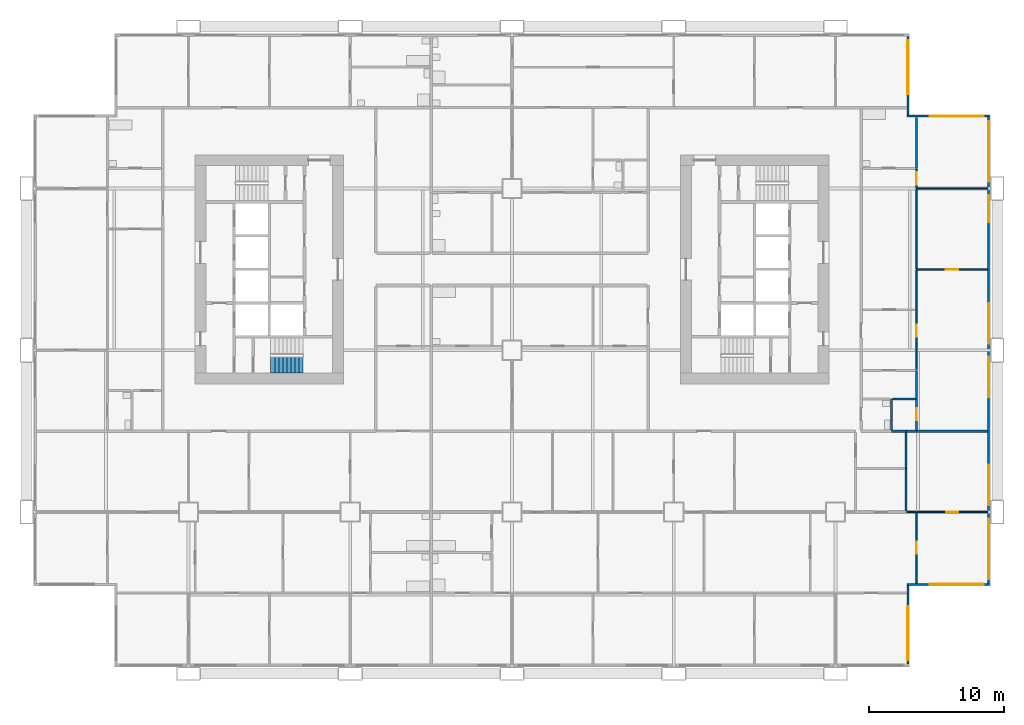
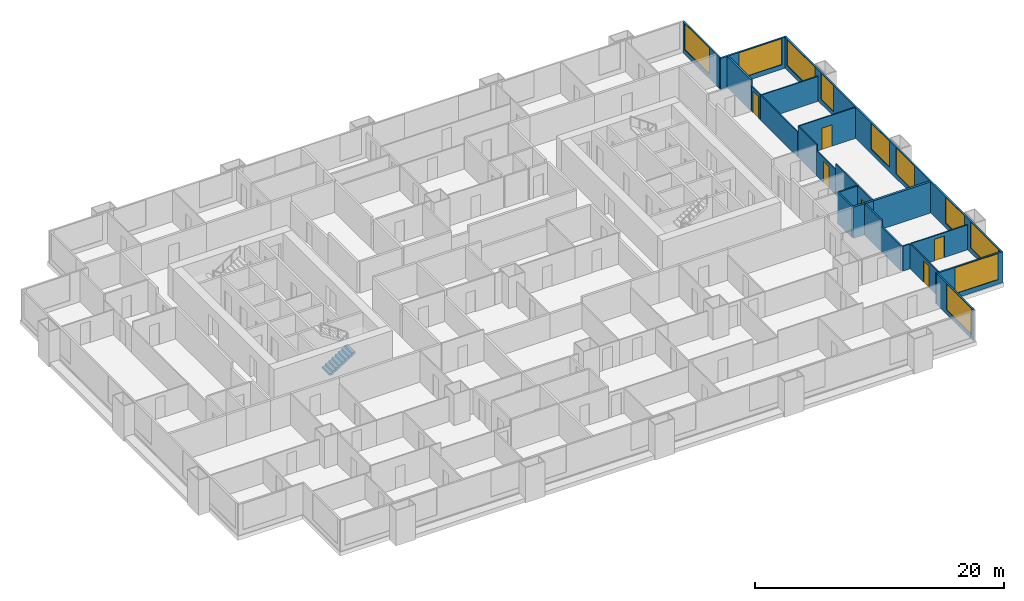
# One storey, part 10 of 13: 25 walls, 10 windows, 6 doors, 1 stair flight, 16 openings, 1 element without a shape of its own.
"""IFC4 building model written with IfcOpenShell, lengths in metres."""

import ifcopenshell
import ifcopenshell.guid

model = None  # the IFC model being written
_history = None  # IfcOwnerHistory: only IFC2X3 demands one
_inside = {}  # id of a spatial element -> (the spatial element, [elements in it])
_under = {}  # id of a project, library or spatial element -> (it, [spatial elements below it])
_declared = {}  # id of a project -> (the project, [libraries it declares])
_typed = {}  # id of a type object -> (the type object, [elements of that type])
_made_of = {}  # id of a material, layer set ... -> (it, [elements and type objects made of it])


def new_model(schema):
    """Start an empty IFC model of exactly this schema.

    Asked for "IFC4X3", IfcOpenShell would pick the latest addendum, in which some entities
    have other attributes; the version numbers below select the first issue.
    IFC2X3 requires an IfcOwnerHistory on every rooted entity: one is made here for all.
    """
    global model, _history
    if schema == "IFC4X3":
        model = ifcopenshell.file(schema_version=(4, 3, 0, 0))
    else:
        model = ifcopenshell.file(schema=schema)
    _inside.clear()
    _under.clear()
    _declared.clear()
    _typed.clear()
    _made_of.clear()
    _history = None
    if model.schema == "IFC2X3":
        org = make("IfcOrganization", Name="unknown")
        user = make(
            "IfcPersonAndOrganization",
            ThePerson=make("IfcPerson", FamilyName="unknown"),
            TheOrganization=org,
        )
        app = make(
            "IfcApplication",
            ApplicationDeveloper=org,
            Version="unknown",
            ApplicationFullName="unknown",
            ApplicationIdentifier="unknown",
        )
        _history = make(
            "IfcOwnerHistory",
            OwningUser=user,
            OwningApplication=app,
            ChangeAction="ADDED",
            CreationDate=0,
        )
    return model


def make(cls, **values):
    """One entity of the class cls with the attributes given. An attribute that is None is left unset."""
    return model.create_entity(
        cls, **{name: value for name, value in values.items() if value is not None}
    )


def rooted(cls, **values):
    """An entity with a GlobalId (a new one), such as an element, a storey or a relation."""
    return make(cls, GlobalId=ifcopenshell.guid.new(), OwnerHistory=_history, **values)


def si_unit(unit_type, name, prefix=None):
    """IfcSIUnit, for example si_unit("LENGTHUNIT", "METRE", prefix="MILLI")."""
    return make("IfcSIUnit", UnitType=unit_type, Prefix=prefix, Name=name)


def assignment(units):
    """IfcUnitAssignment: the units of a project."""
    return None if units is None else make("IfcUnitAssignment", Units=units)


def point(xyz):
    """IfcCartesianPoint."""
    return None if xyz is None else make("IfcCartesianPoint", Coordinates=xyz)


def direction(xyz):
    """IfcDirection."""
    return None if xyz is None else make("IfcDirection", DirectionRatios=xyz)


def frame(location, z_axis=None, x_axis=None):
    """IfcAxis2Placement3D, a coordinate frame: its origin and axes. An axis left out is left unset."""
    return make(
        "IfcAxis2Placement3D",
        Location=point(location),
        Axis=direction(z_axis),
        RefDirection=direction(x_axis),
    )


def frame_2d(location, x_axis=None):
    """IfcAxis2Placement2D, a coordinate frame in the plane: its origin and x axis."""
    return make(
        "IfcAxis2Placement2D", Location=point(location), RefDirection=direction(x_axis)
    )


def origin():
    """The frame at (0, 0, 0) with its axes left unset."""
    return frame((0.0, 0.0, 0.0))


def place(relative_to, where):
    """IfcLocalPlacement: puts the frame where relative to a parent placement (None: the world)."""
    return make(
        "IfcLocalPlacement", PlacementRelTo=relative_to, RelativePlacement=where
    )


def context(
    kind, dimensions, precision=None, world=None, true_north=None, identifier=None
):
    """IfcGeometricRepresentationContext, for example the 3D "Model" context."""
    return make(
        "IfcGeometricRepresentationContext",
        ContextIdentifier=identifier,
        ContextType=kind,
        CoordinateSpaceDimension=dimensions,
        Precision=precision,
        WorldCoordinateSystem=world,
        TrueNorth=true_north,
    )


def subcontext(parent, identifier, kind, view, scale=None):
    """IfcGeometricRepresentationSubContext, for example "Body" below "Model"."""
    return make(
        "IfcGeometricRepresentationSubContext",
        ContextIdentifier=identifier,
        ContextType=kind,
        ParentContext=parent,
        TargetScale=scale,
        TargetView=view,
    )


def project(units=None, contexts=None):
    """IfcProject with its units and contexts."""
    return rooted(
        "IfcProject",
        Name="project",
        RepresentationContexts=contexts,
        UnitsInContext=assignment(units),
    )


def spatial(cls, under=None, at=None, **own):
    """A site, building, storey or space (cls), placed at a placement, below another one or the project."""
    s = rooted(cls, ObjectPlacement=at, **own)
    if under is not None:
        _under.setdefault(under.id(), (under, []))[1].append(s)
    return s


def polyline(points):
    """IfcPolyline through the points."""
    return make("IfcPolyline", Points=[point(p) for p in points])


def profile(cls, at=None, kind="AREA", **sizes):
    """A parametric profile (cls). Its sizes go by their IFC names, for example OverallWidth=200.0."""
    return make(cls, ProfileType=kind, Position=at, **sizes)


def rectangle(**sizes):
    """IfcRectangleProfileDef."""
    return profile("IfcRectangleProfileDef", **sizes)


def outline(outer, holes=None, kind="AREA"):
    """IfcArbitraryClosedProfileDef: a profile drawn as a closed curve; with holes, ...WithVoids."""
    if holes is None:
        return make("IfcArbitraryClosedProfileDef", ProfileType=kind, OuterCurve=outer)
    return make(
        "IfcArbitraryProfileDefWithVoids",
        ProfileType=kind,
        OuterCurve=outer,
        InnerCurves=holes,
    )


def extrude(swept, where, along, depth):
    """IfcExtrudedAreaSolid: the profile swept, set in the frame where, extruded along a direction by depth."""
    return make(
        "IfcExtrudedAreaSolid",
        SweptArea=swept,
        Position=where,
        ExtrudedDirection=direction(along),
        Depth=depth,
    )


def shape(context_of_items, identifier, shape_type, items):
    """IfcShapeRepresentation: the items that make up one representation, for example the "Body"."""
    return make(
        "IfcShapeRepresentation",
        ContextOfItems=context_of_items,
        RepresentationIdentifier=identifier,
        RepresentationType=shape_type,
        Items=items,
    )


def material(Name=None, Category=None):
    """IfcMaterial."""
    return make("IfcMaterial", Name=Name, Category=Category)


def layer(
    of_material, thickness, ventilated=None, Name=None, Category=None, Priority=None
):
    """IfcMaterialLayer: one layer of a wall or slab, of a material (None: an air gap)."""
    return make(
        "IfcMaterialLayer",
        Material=of_material,
        LayerThickness=thickness,
        IsVentilated=ventilated,
        Name=Name,
        Category=Category,
        Priority=Priority,
    )


def layer_set(layers, Name=None):
    """IfcMaterialLayerSet."""
    return make("IfcMaterialLayerSet", MaterialLayers=layers, LayerSetName=Name)


def made_of(thing, what):
    """Note that an element or type object is made of a material, layer set ...; save() writes the relation."""
    if what is not None:
        _made_of.setdefault(what.id(), (what, []))[1].append(thing)
    return thing


def type_object(cls, material=None, **own):
    """A type object (cls), such as IfcWallType, which elements share."""
    return made_of(rooted(cls, **own), material)


def element(
    cls,
    number,
    at=None,
    inside=None,
    cuts=None,
    type_object=None,
    material=None,
    context=None,
    identifier="Body",
    shape_type=None,
    held_by="IfcProductDefinitionShape",
    body=None,
    shapes=None,
    **own,
):
    """One element of the class cls, such as IfcWall. Its Tag is "e" and its number.

    at: its placement. inside: the storey or other place that contains it. cuts: it is an
    opening in that element (IfcRelVoidsElement). A single representation is given by context,
    identifier, shape_type and body (its items); several are given by shapes. held_by: the class
    of the entity that holds the representations. save() writes the other relations.
    """
    e = rooted(cls, Tag="e%d" % number, ObjectPlacement=at, **own)
    if body is not None:
        shapes = [shape(context, identifier, shape_type, body)]
    if shapes is not None:
        e.Representation = make(held_by, Representations=shapes)
    if inside is not None:
        _inside.setdefault(inside.id(), (inside, []))[1].append(e)
    if cuts is not None:
        rooted(
            "IfcRelVoidsElement", RelatingBuildingElement=cuts, RelatedOpeningElement=e
        )
    if type_object is not None:
        _typed.setdefault(type_object.id(), (type_object, []))[1].append(e)
    return made_of(e, material)


def fill(opening, filler):
    """IfcRelFillsElement: the door or window that sits in an opening."""
    return rooted(
        "IfcRelFillsElement",
        RelatingOpeningElement=opening,
        RelatedBuildingElement=filler,
    )


def aggregate(whole, parts):
    """IfcRelAggregates: a whole, such as a stair, and the parts it consists of."""
    return rooted("IfcRelAggregates", RelatingObject=whole, RelatedObjects=parts)


def save(model, path):
    """Write the relations noted so far, then the file.

    IfcRelAggregates (storeys below a building ...), IfcRelContainedInSpatialStructure (elements
    in a storey), IfcRelDefinesByType, IfcRelAssociatesMaterial and IfcRelDeclares: one each for
    every whole, place, type object, material and project.
    """
    for whole, parts in _under.values():
        aggregate(whole, parts)
    for where, things in _inside.values():
        rooted(
            "IfcRelContainedInSpatialStructure",
            RelatedElements=things,
            RelatingStructure=where,
        )
    for kind, things in _typed.values():
        rooted("IfcRelDefinesByType", RelatedObjects=things, RelatingType=kind)
    for what, things in _made_of.values():
        rooted("IfcRelAssociatesMaterial", RelatedObjects=things, RelatingMaterial=what)
    for by, libraries in _declared.values():
        rooted("IfcRelDeclares", RelatingContext=by, RelatedDefinitions=libraries)
    model.write(path)


model = new_model("IFC4")

# Units and contexts
model_context = context("Model", 3, precision=1e-05, world=origin(), true_north=direction((0.0, 1.0)))
body_context = subcontext(model_context, "Body", "Model", "MODEL_VIEW")
ifc_project = project(units=[si_unit("LENGTHUNIT", "METRE"), si_unit("AREAUNIT", "SQUARE_METRE"), si_unit("VOLUMEUNIT", "CUBIC_METRE"), si_unit("PLANEANGLEUNIT", "RADIAN"), si_unit("MASSUNIT", "GRAM", prefix="KILO")], contexts=[model_context])

# Site, building, storey
site_placement = place(None, origin())
site = spatial("IfcSite", under=ifc_project, at=site_placement, CompositionType="ELEMENT")
building_placement = place(site_placement, origin())
building = spatial("IfcBuilding", under=site, at=building_placement, Name="Kitamizu Gate Tower and Museum", CompositionType="ELEMENT")
storey_placement = place(building_placement, frame((0.0, 0.0, 40.35009765625)))
storey = spatial("IfcBuildingStorey", under=building, at=storey_placement, Name="L08", CompositionType="ELEMENT", Elevation=40.35009765625)

# Wall, opening, door
ifc_material_1 = material(Name="Gypsum board on galvanised stud")
ifc_layer_1 = layer(ifc_material_1, 0.10009765625)
ifc_layer_set_1 = layer_set([ifc_layer_1], Name="Gypsum board on galvanised stud")
wall_type_1 = type_object("IfcWallType", Name="Partition 100 NOT RATED", PredefinedType="PARTITIONING", material=ifc_layer_set_1)
wall_1_placement = place(storey_placement, frame((66.0, 6.719970703125, 0.0), z_axis=(0.0, 0.0, 1.0), x_axis=(0.0, 1.0, 0.0)))
wall_1 = element("IfcWall", 1, at=wall_1_placement, inside=storey, type_object=wall_type_1, Name="Partition L08-075", PredefinedType="PARTITIONING", context=body_context, shape_type="SweptSolid", body=[
    extrude(rectangle(XDim=5.280029296875, YDim=0.10009765625, at=frame_2d((2.64013671875, 0.0))), origin(), (0.0, 0.0, 1.0), 2.449951171875),
])
opening_1_placement = place(wall_1_placement, frame((2.18994140625, 0.0, 0.0)))
opening_1 = element("IfcOpeningElement", 2, at=opening_1_placement, cuts=wall_1, Name="Opening L08-025", PredefinedType="OPENING", context=body_context, shape_type="SweptSolid", body=[
    extrude(rectangle(XDim=0.89990234375, YDim=2.10009765625, at=frame_2d((0.449951171875, 1.050048828125))), frame((0.0, 0.06005859375, 0.0), z_axis=(0.0, -1.0, 0.0), x_axis=(1.0, 0.0, 0.0)), (0.0, 0.0, 1.0), 0.1201171875),
])
ifc_material_2 = material(Name="Timber door set", Category="wood")
door_type_1 = type_object("IfcDoorType", Name="Room door 900", OperationType="NOTDEFINED", PredefinedType="DOOR", material=ifc_material_2)
door_1_placement = place(opening_1_placement, origin())
door_1 = element("IfcDoor", 3, at=door_1_placement, inside=storey, type_object=door_type_1, Name="Door L08-025", OperationType="SINGLE_SWING_RIGHT", OverallHeight=2.10009765625, OverallWidth=0.89990234375, PredefinedType="DOOR", context=body_context, shape_type="SweptSolid", body=[
    extrude(rectangle(XDim=0.89990234375, YDim=2.10009765625, at=frame_2d((0.449951171875, 1.050048828125))), frame((0.0, 0.02490234375, 0.0), z_axis=(0.0, -1.0, 0.0), x_axis=(1.0, 0.0, 0.0)), (0.0, 0.0, 1.0), 0.050048828125),
])
fill(opening_1, door_1)

# Wall
wall_2_placement = place(storey_placement, frame((65.949951171875, 12.0, 0.0), z_axis=(0.0, 0.0, 1.0), x_axis=(-1.0, 0.0, 0.0)))
element("IfcWall", 4, at=wall_2_placement, inside=storey, type_object=wall_type_1, Name="Partition L08-078", PredefinedType="PARTITIONING", context=body_context, shape_type="SweptSolid", body=[
    extrude(rectangle(XDim=0.658935546875, YDim=0.10009765625, at=frame_2d((0.32958984375, 0.0))), origin(), (0.0, 0.0, 1.0), 2.449951171875),
])

# Wall, opening, door
wall_3_placement = place(storey_placement, frame((71.280029296875, 12.0, 0.0), z_axis=(0.0, 0.0, 1.0), x_axis=(-1.0, 0.0, 0.0)))
wall_3 = element("IfcWall", 5, at=wall_3_placement, inside=storey, type_object=wall_type_1, Name="Partition L08-080", PredefinedType="PARTITIONING", context=body_context, shape_type="SweptSolid", body=[
    extrude(rectangle(XDim=5.22998046875, YDim=0.10009765625, at=frame_2d((2.614990234375, 0.0))), origin(), (0.0, 0.0, 1.0), 2.449951171875),
])
opening_2_placement = place(wall_3_placement, frame((2.1650390625, 0.0, 0.0)))
opening_2 = element("IfcOpeningElement", 6, at=opening_2_placement, cuts=wall_3, Name="Opening L08-034", PredefinedType="OPENING", context=body_context, shape_type="SweptSolid", body=[
    extrude(rectangle(XDim=0.89990234375, YDim=2.10009765625, at=frame_2d((0.449951171875, 1.050048828125))), frame((0.0, 0.06005859375, 0.0), z_axis=(0.0, -1.0, 0.0), x_axis=(1.0, 0.0, 0.0)), (0.0, 0.0, 1.0), 0.1201171875),
])
door_2_placement = place(opening_2_placement, frame((0.89990234375, 0.0, 0.0), x_axis=(-1.0, 0.0, 0.0)))
door_2 = element("IfcDoor", 7, at=door_2_placement, inside=storey, type_object=door_type_1, Name="Door L08-034", OperationType="SINGLE_SWING_LEFT", OverallHeight=2.10009765625, OverallWidth=0.89990234375, PredefinedType="DOOR", context=body_context, shape_type="SweptSolid", body=[
    extrude(rectangle(XDim=0.89990234375, YDim=2.10009765625, at=frame_2d((0.449951171875, 1.050048828125))), frame((0.0, 0.02490234375, 0.0), z_axis=(0.0, -1.0, 0.0), x_axis=(1.0, 0.0, 0.0)), (0.0, 0.0, 1.0), 0.050048828125),
])
fill(opening_2, door_2)

wall_4_placement = place(storey_placement, frame((71.280029296875, 30.0, 0.0), z_axis=(0.0, 0.0, 1.0), x_axis=(-1.0, 0.0, 0.0)))
wall_4 = element("IfcWall", 8, at=wall_4_placement, inside=storey, type_object=wall_type_1, Name="Partition L08-191", PredefinedType="PARTITIONING", context=body_context, shape_type="SweptSolid", body=[
    extrude(rectangle(XDim=5.280029296875, YDim=0.10009765625, at=frame_2d((2.64013671875, 0.0))), origin(), (0.0, 0.0, 1.0), 3.0498046875),
])
opening_3_placement = place(wall_4_placement, frame((2.18994140625, 0.0, 0.0)))
opening_3 = element("IfcOpeningElement", 9, at=opening_3_placement, cuts=wall_4, Name="Opening L08-072", PredefinedType="OPENING", context=body_context, shape_type="SweptSolid", body=[
    extrude(rectangle(XDim=0.89990234375, YDim=2.10009765625, at=frame_2d((0.449951171875, 1.050048828125))), frame((0.0, 0.06005859375, 0.0), z_axis=(0.0, -1.0, 0.0), x_axis=(1.0, 0.0, 0.0)), (0.0, 0.0, 1.0), 0.1201171875),
])
door_3_placement = place(opening_3_placement, frame((0.89990234375, 0.0, 0.0), x_axis=(-1.0, 0.0, 0.0)))
door_3 = element("IfcDoor", 10, at=door_3_placement, inside=storey, type_object=door_type_1, Name="Door L08-072", OperationType="SINGLE_SWING_LEFT", OverallHeight=2.10009765625, OverallWidth=0.89990234375, PredefinedType="DOOR", context=body_context, shape_type="SweptSolid", body=[
    extrude(rectangle(XDim=0.89990234375, YDim=2.10009765625, at=frame_2d((0.449951171875, 1.050048828125))), frame((0.0, 0.02490234375, 0.0), z_axis=(0.0, -1.0, 0.0), x_axis=(1.0, 0.0, 0.0)), (0.0, 0.0, 1.0), 0.050048828125),
])
fill(opening_3, door_3)

wall_5_placement = place(storey_placement, frame((66.0, 27.0, 0.0), z_axis=(0.0, 0.0, 1.0), x_axis=(0.0, -1.0, 0.0)))
wall_5 = element("IfcWall", 11, at=wall_5_placement, inside=storey, type_object=wall_type_1, Name="Partition L08-194", PredefinedType="PARTITIONING", context=body_context, shape_type="SweptSolid", body=[
    extrude(rectangle(XDim=3.10009765625, YDim=0.10009765625, at=frame_2d((1.550048828125, 0.0))), origin(), (0.0, 0.0, 1.0), 2.449951171875),
])
opening_4_placement = place(wall_5_placement, frame((1.10009765625, 0.0, 0.0)))
opening_4 = element("IfcOpeningElement", 12, at=opening_4_placement, cuts=wall_5, Name="Opening L08-070", PredefinedType="OPENING", context=body_context, shape_type="SweptSolid", body=[
    extrude(rectangle(XDim=0.89990234375, YDim=2.10009765625, at=frame_2d((0.449951171875, 1.050048828125))), frame((0.0, 0.06005859375, 0.0), z_axis=(0.0, -1.0, 0.0), x_axis=(1.0, 0.0, 0.0)), (0.0, 0.0, 1.0), 0.1201171875),
])
door_4_placement = place(opening_4_placement, origin())
door_4 = element("IfcDoor", 13, at=door_4_placement, inside=storey, type_object=door_type_1, Name="Door L08-070", OperationType="SINGLE_SWING_RIGHT", OverallHeight=2.10009765625, OverallWidth=0.89990234375, PredefinedType="DOOR", context=body_context, shape_type="SweptSolid", body=[
    extrude(rectangle(XDim=0.89990234375, YDim=2.10009765625, at=frame_2d((0.449951171875, 1.050048828125))), frame((0.0, 0.02490234375, 0.0), z_axis=(0.0, -1.0, 0.0), x_axis=(1.0, 0.0, 0.0)), (0.0, 0.0, 1.0), 0.050048828125),
])
fill(opening_4, door_4)

# Walls
wall_6_placement = place(storey_placement, frame((66.0, 23.89990234375, 0.0), z_axis=(0.0, 0.0, 1.0), x_axis=(0.0, -1.0, 0.0)))
element("IfcWall", 14, at=wall_6_placement, inside=storey, type_object=wall_type_1, Name="Partition L08-195", PredefinedType="PARTITIONING", context=body_context, shape_type="SweptSolid", body=[
    extrude(rectangle(XDim=1.324951171875, YDim=0.10009765625, at=frame_2d((0.66259765625, 0.0))), origin(), (0.0, 0.0, 1.0), 3.0498046875),
])
wall_7_placement = place(storey_placement, frame((66.0, 29.949951171875, 0.0), z_axis=(0.0, 0.0, 1.0), x_axis=(0.0, -1.0, 0.0)))
element("IfcWall", 15, at=wall_7_placement, inside=storey, type_object=wall_type_1, Name="Partition L08-196", PredefinedType="PARTITIONING", context=body_context, shape_type="SweptSolid", body=[
    extrude(rectangle(XDim=2.949951171875, YDim=0.10009765625, at=frame_2d((1.47509765625, 0.0))), origin(), (0.0, 0.0, 1.0), 3.0498046875),
])
wall_8_placement = place(storey_placement, frame((71.280029296875, 36.0, 0.0), z_axis=(0.0, 0.0, 1.0), x_axis=(-1.0, 0.0, 0.0)))
element("IfcWall", 16, at=wall_8_placement, inside=storey, type_object=wall_type_1, Name="Partition L08-197", PredefinedType="PARTITIONING", context=body_context, shape_type="SweptSolid", body=[
    extrude(rectangle(XDim=5.280029296875, YDim=0.10009765625, at=frame_2d((2.64013671875, 0.0))), origin(), (0.0, 0.0, 1.0), 2.449951171875),
])
wall_9_placement = place(storey_placement, frame((66.0, 35.949951171875, 0.0), z_axis=(0.0, 0.0, 1.0), x_axis=(0.0, -1.0, 0.0)))
element("IfcWall", 17, at=wall_9_placement, inside=storey, type_object=wall_type_1, Name="Partition L08-198", PredefinedType="PARTITIONING", context=body_context, shape_type="SweptSolid", body=[
    extrude(rectangle(XDim=5.89990234375, YDim=0.10009765625, at=frame_2d((2.949951171875, 0.0))), origin(), (0.0, 0.0, 1.0), 2.449951171875),
])

# Wall, opening, door
wall_10_placement = place(storey_placement, frame((66.0, 37.425048828125, 0.0), z_axis=(0.0, 0.0, 1.0), x_axis=(0.0, -1.0, 0.0)))
wall_10 = element("IfcWall", 18, at=wall_10_placement, inside=storey, type_object=wall_type_1, Name="Partition L08-199", PredefinedType="PARTITIONING", context=body_context, shape_type="SweptSolid", body=[
    extrude(rectangle(XDim=1.375, YDim=0.10009765625, at=frame_2d((0.6875, 0.0))), origin(), (0.0, 0.0, 1.0), 2.449951171875),
])
opening_5_placement = place(wall_10_placement, frame((0.237548828125, 0.0, 0.0)))
opening_5 = element("IfcOpeningElement", 19, at=opening_5_placement, cuts=wall_10, Name="Opening L08-073", PredefinedType="OPENING", context=body_context, shape_type="SweptSolid", body=[
    extrude(rectangle(XDim=0.89990234375, YDim=2.10009765625, at=frame_2d((0.449951171875, 1.050048828125))), frame((0.0, 0.06005859375, 0.0), z_axis=(0.0, -1.0, 0.0), x_axis=(1.0, 0.0, 0.0)), (0.0, 0.0, 1.0), 0.1201171875),
])
door_5_placement = place(opening_5_placement, origin())
door_5 = element("IfcDoor", 20, at=door_5_placement, inside=storey, type_object=door_type_1, Name="Door L08-073", OperationType="SINGLE_SWING_LEFT", OverallHeight=2.10009765625, OverallWidth=0.89990234375, PredefinedType="DOOR", context=body_context, shape_type="SweptSolid", body=[
    extrude(rectangle(XDim=0.89990234375, YDim=2.10009765625, at=frame_2d((0.449951171875, 1.050048828125))), frame((0.0, 0.02490234375, 0.0), z_axis=(0.0, -1.0, 0.0), x_axis=(1.0, 0.0, 0.0)), (0.0, 0.0, 1.0), 0.050048828125),
])
fill(opening_5, door_5)

# Walls
ifc_material_3 = material(Name="Gypsum board on galvanised stud")
ifc_layer_2 = layer(ifc_material_3, 0.14990234375)
ifc_layer_set_2 = layer_set([ifc_layer_2], Name="Gypsum board on galvanised stud")
wall_type_2 = type_object("IfcWallType", Name="Partition 150", PredefinedType="PARTITIONING", material=ifc_layer_set_2)
wall_11_placement = place(storey_placement, frame((65.216064453125, 15.22900390625, 0.0), z_axis=(0.0, 0.0, 1.0), x_axis=(0.0, -1.0, 0.0)))
element("IfcWall", 21, at=wall_11_placement, inside=storey, type_object=wall_type_2, Name="Partition L08-094", PredefinedType="PARTITIONING", context=body_context, shape_type="SweptSolid", body=[
    extrude(rectangle(XDim=3.154052734375, YDim=0.14990234375, at=frame_2d((1.5771484375, 0.0))), origin(), (0.0, 0.0, 1.0), 2.449951171875),
])
wall_12_placement = place(storey_placement, frame((65.216064453125, 17.89990234375, 0.0), z_axis=(0.0, 0.0, 1.0), x_axis=(0.0, -1.0, 0.0)))
element("IfcWall", 22, at=wall_12_placement, inside=storey, type_object=wall_type_2, Name="Partition L08-095", PredefinedType="PARTITIONING", context=body_context, shape_type="SweptSolid", body=[
    extrude(rectangle(XDim=2.6708984375, YDim=0.14990234375, at=frame_2d((1.33544921875, 0.0))), origin(), (0.0, 0.0, 1.0), 3.0498046875),
])

# Wall, opening, door
wall_13_placement = place(storey_placement, frame((66.0, 20.39990234375, 0.0), z_axis=(0.0, 0.0, 1.0), x_axis=(0.0, -1.0, 0.0)))
wall_13 = element("IfcWall", 23, at=wall_13_placement, inside=storey, type_object=wall_type_2, Name="Partition L08-192", PredefinedType="PARTITIONING", context=body_context, shape_type="SweptSolid", body=[
    extrude(rectangle(XDim=2.2998046875, YDim=0.14990234375, at=frame_2d((1.14990234375, 0.0))), origin(), (0.0, 0.0, 1.0), 3.0498046875),
])
opening_6_placement = place(wall_13_placement, frame((0.699951171875, 0.0, 0.0)))
opening_6 = element("IfcOpeningElement", 24, at=opening_6_placement, cuts=wall_13, Name="Opening L08-074", PredefinedType="OPENING", context=body_context, shape_type="SweptSolid", body=[
    extrude(rectangle(XDim=0.89990234375, YDim=2.10009765625, at=frame_2d((0.449951171875, 1.050048828125))), frame((0.0, 0.0849609375, 0.0), z_axis=(0.0, -1.0, 0.0), x_axis=(1.0, 0.0, 0.0)), (0.0, 0.0, 1.0), 0.169921875),
])
ifc_material_4 = material(Name="Timber door set", Category="wood")
door_type_2 = type_object("IfcDoorType", Name="Bathroom door 900", OperationType="NOTDEFINED", PredefinedType="DOOR", material=ifc_material_4)
door_6_placement = place(opening_6_placement, frame((0.89990234375, 0.0, 0.0), x_axis=(-1.0, 0.0, 0.0)))
door_6 = element("IfcDoor", 25, at=door_6_placement, inside=storey, type_object=door_type_2, Name="Bathroom door L08-074", OperationType="SINGLE_SWING_RIGHT", OverallHeight=2.10009765625, OverallWidth=0.89990234375, PredefinedType="DOOR", context=body_context, shape_type="SweptSolid", body=[
    extrude(rectangle(XDim=0.89990234375, YDim=2.10009765625, at=frame_2d((0.449951171875, 1.050048828125))), frame((0.0, 0.02490234375, 0.0), z_axis=(0.0, -1.0, 0.0), x_axis=(1.0, 0.0, 0.0)), (0.0, 0.0, 1.0), 0.050048828125),
])
fill(opening_6, door_6)

# Walls
wall_14_placement = place(storey_placement, frame((66.0, 22.5, 0.0), z_axis=(0.0, 0.0, 1.0), x_axis=(0.0, -1.0, 0.0)))
element("IfcWall", 26, at=wall_14_placement, inside=storey, type_object=wall_type_2, Name="Partition L08-193", PredefinedType="PARTITIONING", context=body_context, shape_type="SweptSolid", body=[
    extrude(rectangle(XDim=2.10009765625, YDim=0.14990234375, at=frame_2d((1.050048828125, 0.0))), origin(), (0.0, 0.0, 1.0), 3.0498046875),
])
wall_15_placement = place(storey_placement, frame((66.0, 41.280029296875, 0.0), z_axis=(0.0, 0.0, 1.0), x_axis=(0.0, -1.0, 0.0)))
element("IfcWall", 27, at=wall_15_placement, inside=storey, type_object=wall_type_2, Name="Partition L08-200", PredefinedType="PARTITIONING", context=body_context, shape_type="SweptSolid", body=[
    extrude(rectangle(XDim=3.780029296875, YDim=0.14990234375, at=frame_2d((1.89013671875, 0.0))), origin(), (0.0, 0.0, 1.0), 3.0498046875),
])
wall_16_placement = place(storey_placement, frame((64.14990234375, 18.10009765625, 0.0), z_axis=(0.0, 0.0, 1.0), x_axis=(0.0, 1.0, 0.0)))
element("IfcWall", 28, at=wall_16_placement, inside=storey, type_object=wall_type_2, Name="Partition L08-201", PredefinedType="PARTITIONING", context=body_context, shape_type="SweptSolid", body=[
    extrude(rectangle(XDim=2.2998046875, YDim=0.14990234375, at=frame_2d((1.14990234375, 0.0))), origin(), (0.0, 0.0, 1.0), 3.0498046875),
])
wall_17_placement = place(storey_placement, frame((65.925048828125, 20.39990234375, 0.0), z_axis=(0.0, 0.0, 1.0), x_axis=(-1.0, 0.0, 0.0)))
element("IfcWall", 29, at=wall_17_placement, inside=storey, type_object=wall_type_2, Name="Partition L08-204", PredefinedType="PARTITIONING", context=body_context, shape_type="SweptSolid", body=[
    extrude(rectangle(XDim=1.699951171875, YDim=0.14990234375, at=frame_2d((0.85009765625, 0.0))), origin(), (0.0, 0.0, 1.0), 3.0498046875),
])
ifc_material_5 = material(Name="Gypsum board on galvanised stud")
ifc_layer_3 = layer(ifc_material_5, 0.199951171875)
ifc_layer_set_3 = layer_set([ifc_layer_3], Name="Gypsum board on galvanised stud")
wall_type_3 = type_object("IfcWallType", Name="Partition 200", PredefinedType="PARTITIONING", material=ifc_layer_set_3)
wall_18_placement = place(storey_placement, frame((71.280029296875, 18.0, 0.0), z_axis=(0.0, 0.0, 1.0), x_axis=(-1.0, 0.0, 0.0)))
element("IfcWall", 30, at=wall_18_placement, inside=storey, type_object=wall_type_3, Name="Partition L08-096", PredefinedType="PARTITIONING", context=body_context, shape_type="SweptSolid", body=[
    extrude(rectangle(XDim=5.280029296875, YDim=0.199951171875, at=frame_2d((2.64013671875, 0.0))), origin(), (0.0, 0.0, 1.0), 3.0498046875),
])
wall_19_placement = place(storey_placement, frame((66.0, 18.0, 0.0), z_axis=(0.0, 0.0, 1.0), x_axis=(-1.0, 0.0, 0.0)))
element("IfcWall", 31, at=wall_19_placement, inside=storey, type_object=wall_type_3, Name="Partition L08-097", PredefinedType="PARTITIONING", context=body_context, shape_type="SweptSolid", body=[
    extrude(rectangle(XDim=0.783935546875, YDim=0.199951171875, at=frame_2d((0.39208984375, 0.0))), origin(), (0.0, 0.0, 1.0), 3.0498046875),
])
wall_20_placement = place(storey_placement, frame((65.216064453125, 18.0, 0.0), z_axis=(0.0, 0.0, 1.0), x_axis=(-1.0, 0.0, 0.0)))
element("IfcWall", 32, at=wall_20_placement, inside=storey, type_object=wall_type_3, Name="Partition L08-100", PredefinedType="PARTITIONING", context=body_context, shape_type="SweptSolid", body=[
    extrude(rectangle(XDim=1.066162109375, YDim=0.199951171875, at=frame_2d((0.533203125, 0.0))), origin(), (0.0, 0.0, 1.0), 3.0498046875),
])

# Wall, opening, window
ifc_material_6 = material(Name="Bronze anodised aluminium frame with insulated spandrel and tinted glass", Category="aluminium")
ifc_layer_4 = layer(ifc_material_6, 0.14990234375)
ifc_layer_set_4 = layer_set([ifc_layer_4], Name="Bronze anodised aluminium frame with insulated spandrel and tinted glass")
wall_type_4 = type_object("IfcWallType", Name="WINDOW WALL 150 BRONZE FRAME EI 30", PredefinedType="ELEMENTEDWALL", material=ifc_layer_set_4)
wall_21_placement = place(storey_placement, frame((65.364990234375, 0.7099609375, 0.0), z_axis=(0.0, 0.0, 1.0), x_axis=(0.0, 1.0, 0.0)))
wall_21 = element("IfcWall", 33, at=wall_21_placement, inside=storey, type_object=wall_type_4, Name="Window wall east L08", PredefinedType="ELEMENTEDWALL", context=body_context, shape_type="SweptSolid", body=[
    extrude(rectangle(XDim=5.85009765625, YDim=0.14990234375, at=frame_2d((2.925048828125, 0.0))), origin(), (0.0, 0.0, 1.0), 3.0498046875),
])
opening_7_placement = place(wall_21_placement, frame((0.2900390625, 0.0, 0.449951171875)))
opening_7 = element("IfcOpeningElement", 34, at=opening_7_placement, cuts=wall_21, Name="Opening W16", PredefinedType="OPENING", context=body_context, shape_type="SweptSolid", body=[
    extrude(rectangle(XDim=4.0, YDim=2.550048828125, at=frame_2d((2.0, 1.27490234375))), frame((0.0, 0.0849609375, 0.0), z_axis=(0.0, -1.0, 0.0), x_axis=(1.0, 0.0, 0.0)), (0.0, 0.0, 1.0), 0.169921875),
])
ifc_material_7 = material(Name="Bronze anodised aluminium frame, tinted triple glazing", Category="aluminium")
window_type_1 = type_object("IfcWindowType", Name="WINDOW 4000 x 2550 SILL 450", PartitioningType="SINGLE_PANEL", PredefinedType="WINDOW", material=ifc_material_7)
window_1_placement = place(opening_7_placement, origin())
window_1 = element("IfcWindow", 35, at=window_1_placement, inside=storey, type_object=window_type_1, Name="Window W16 L08", OverallHeight=2.550048828125, OverallWidth=4.0, PartitioningType="SINGLE_PANEL", PredefinedType="WINDOW", context=body_context, shape_type="SweptSolid", body=[
    extrude(rectangle(XDim=4.0, YDim=2.550048828125, at=frame_2d((2.0, 1.27490234375))), frame((0.0, 0.030029296875, 0.0), z_axis=(0.0, -1.0, 0.0), x_axis=(1.0, 0.0, 0.0)), (0.0, 0.0, 1.0), 0.06005859375),
])
fill(opening_7, window_1)

wall_22_placement = place(storey_placement, frame((65.2900390625, 6.635009765625, 0.0), z_axis=(0.0, 0.0, 1.0), x_axis=(1.0, 0.0, 0.0)))
wall_22 = element("IfcWall", 36, at=wall_22_placement, inside=storey, type_object=wall_type_4, Name="Window wall south L08", PredefinedType="ELEMENTEDWALL", context=body_context, shape_type="SweptSolid", body=[
    extrude(rectangle(XDim=6.14990234375, YDim=0.14990234375, at=frame_2d((3.074951171875, 0.0))), origin(), (0.0, 0.0, 1.0), 3.0498046875),
])
opening_8_placement = place(wall_22_placement, frame((1.7099609375, 0.0, 0.449951171875)))
opening_8 = element("IfcOpeningElement", 37, at=opening_8_placement, cuts=wall_22, Name="Opening W16", PredefinedType="OPENING", context=body_context, shape_type="SweptSolid", body=[
    extrude(rectangle(XDim=4.0, YDim=2.550048828125, at=frame_2d((2.0, 1.27490234375))), frame((0.0, 0.0849609375, 0.0), z_axis=(0.0, -1.0, 0.0), x_axis=(1.0, 0.0, 0.0)), (0.0, 0.0, 1.0), 0.169921875),
])
window_2_placement = place(opening_8_placement, origin())
window_2 = element("IfcWindow", 38, at=window_2_placement, inside=storey, type_object=window_type_1, Name="Window W16 L08", OverallHeight=2.550048828125, OverallWidth=4.0, PartitioningType="SINGLE_PANEL", PredefinedType="WINDOW", context=body_context, shape_type="SweptSolid", body=[
    extrude(rectangle(XDim=4.0, YDim=2.550048828125, at=frame_2d((2.0, 1.27490234375))), frame((0.0, 0.030029296875, 0.0), z_axis=(0.0, -1.0, 0.0), x_axis=(1.0, 0.0, 0.0)), (0.0, 0.0, 1.0), 0.06005859375),
])
fill(opening_8, window_2)

# Wall, openings, windows
wall_23_placement = place(storey_placement, frame((71.364990234375, 6.7099609375, 0.0), z_axis=(0.0, 0.0, 1.0), x_axis=(0.0, 1.0, 0.0)))
wall_23 = element("IfcWall", 39, at=wall_23_placement, inside=storey, type_object=wall_type_4, Name="Window wall east L08", PredefinedType="ELEMENTEDWALL", context=body_context, shape_type="SweptSolid", body=[
    extrude(rectangle(XDim=34.580078125, YDim=0.14990234375, at=frame_2d((17.2900390625, 0.0))), origin(), (0.0, 0.0, 1.0), 3.0498046875),
])
opening_9_placement = place(wall_23_placement, frame((0.2900390625, 0.0, 0.449951171875)))
opening_9 = element("IfcOpeningElement", 40, at=opening_9_placement, cuts=wall_23, Name="Opening W15", PredefinedType="OPENING", context=body_context, shape_type="SweptSolid", body=[
    extrude(rectangle(XDim=4.5, YDim=2.550048828125, at=frame_2d((2.25, 1.27490234375))), frame((0.0, 0.0849609375, 0.0), z_axis=(0.0, -1.0, 0.0), x_axis=(1.0, 0.0, 0.0)), (0.0, 0.0, 1.0), 0.169921875),
])
opening_10_placement = place(wall_23_placement, frame((5.7900390625, 0.0, 0.449951171875)))
opening_10 = element("IfcOpeningElement", 41, at=opening_10_placement, cuts=wall_23, Name="Opening W33", PredefinedType="OPENING", context=body_context, shape_type="SweptSolid", body=[
    extrude(rectangle(XDim=3.0, YDim=2.550048828125, at=frame_2d((1.5, 1.27490234375))), frame((0.0, 0.0849609375, 0.0), z_axis=(0.0, -1.0, 0.0), x_axis=(1.0, 0.0, 0.0)), (0.0, 0.0, 1.0), 0.169921875),
])
opening_11_placement = place(wall_23_placement, frame((13.7900390625, 0.0, 0.449951171875)))
opening_11 = element("IfcOpeningElement", 42, at=opening_11_placement, cuts=wall_23, Name="Opening W33", PredefinedType="OPENING", context=body_context, shape_type="SweptSolid", body=[
    extrude(rectangle(XDim=3.0, YDim=2.550048828125, at=frame_2d((1.5, 1.27490234375))), frame((0.0, 0.0849609375, 0.0), z_axis=(0.0, -1.0, 0.0), x_axis=(1.0, 0.0, 0.0)), (0.0, 0.0, 1.0), 0.169921875),
])
opening_12_placement = place(wall_23_placement, frame((17.7900390625, 0.0, 0.449951171875)))
opening_12 = element("IfcOpeningElement", 43, at=opening_12_placement, cuts=wall_23, Name="Opening W33", PredefinedType="OPENING", context=body_context, shape_type="SweptSolid", body=[
    extrude(rectangle(XDim=3.0, YDim=2.550048828125, at=frame_2d((1.5, 1.27490234375))), frame((0.0, 0.0849609375, 0.0), z_axis=(0.0, -1.0, 0.0), x_axis=(1.0, 0.0, 0.0)), (0.0, 0.0, 1.0), 0.169921875),
])
opening_13_placement = place(wall_23_placement, frame((26.7900390625, 0.0, 0.449951171875)))
opening_13 = element("IfcOpeningElement", 44, at=opening_13_placement, cuts=wall_23, Name="Opening W2", PredefinedType="OPENING", context=body_context, shape_type="SweptSolid", body=[
    extrude(rectangle(XDim=2.0, YDim=2.550048828125, at=frame_2d((1.0, 1.27490234375))), frame((0.0, 0.0849609375, 0.0), z_axis=(0.0, -1.0, 0.0), x_axis=(1.0, 0.0, 0.0)), (0.0, 0.0, 1.0), 0.169921875),
])
opening_14_placement = place(wall_23_placement, frame((29.7900390625, 0.0, 0.449951171875)))
opening_14 = element("IfcOpeningElement", 45, at=opening_14_placement, cuts=wall_23, Name="Opening W15", PredefinedType="OPENING", context=body_context, shape_type="SweptSolid", body=[
    extrude(rectangle(XDim=4.5, YDim=2.550048828125, at=frame_2d((2.25, 1.27490234375))), frame((0.0, 0.0849609375, 0.0), z_axis=(0.0, -1.0, 0.0), x_axis=(1.0, 0.0, 0.0)), (0.0, 0.0, 1.0), 0.169921875),
])
ifc_material_8 = material(Name="Bronze anodised aluminium frame, tinted triple glazing", Category="aluminium")
window_type_2 = type_object("IfcWindowType", Name="WINDOW 2000 x 2550 SILL 450", PartitioningType="SINGLE_PANEL", PredefinedType="WINDOW", material=ifc_material_8)
window_3_placement = place(opening_13_placement, origin())
window_3 = element("IfcWindow", 46, at=window_3_placement, inside=storey, type_object=window_type_2, Name="Window W2 L08", OverallHeight=2.550048828125, OverallWidth=2.0, PartitioningType="SINGLE_PANEL", PredefinedType="WINDOW", context=body_context, shape_type="SweptSolid", body=[
    extrude(rectangle(XDim=2.0, YDim=2.550048828125, at=frame_2d((1.0, 1.27490234375))), frame((0.0, 0.030029296875, 0.0), z_axis=(0.0, -1.0, 0.0), x_axis=(1.0, 0.0, 0.0)), (0.0, 0.0, 1.0), 0.06005859375),
])
fill(opening_13, window_3)
ifc_material_9 = material(Name="Bronze anodised aluminium frame, tinted triple glazing", Category="aluminium")
window_type_3 = type_object("IfcWindowType", Name="WINDOW 3000 x 2550 SILL 450", PartitioningType="SINGLE_PANEL", PredefinedType="WINDOW", material=ifc_material_9)
window_4_placement = place(opening_10_placement, origin())
window_4 = element("IfcWindow", 47, at=window_4_placement, inside=storey, type_object=window_type_3, Name="Window W33 L08", OverallHeight=2.550048828125, OverallWidth=3.0, PartitioningType="SINGLE_PANEL", PredefinedType="WINDOW", context=body_context, shape_type="SweptSolid", body=[
    extrude(rectangle(XDim=3.0, YDim=2.550048828125, at=frame_2d((1.5, 1.27490234375))), frame((0.0, 0.030029296875, 0.0), z_axis=(0.0, -1.0, 0.0), x_axis=(1.0, 0.0, 0.0)), (0.0, 0.0, 1.0), 0.06005859375),
])
fill(opening_10, window_4)
window_5_placement = place(opening_11_placement, origin())
window_5 = element("IfcWindow", 48, at=window_5_placement, inside=storey, type_object=window_type_3, Name="Window W33 L08", OverallHeight=2.550048828125, OverallWidth=3.0, PartitioningType="SINGLE_PANEL", PredefinedType="WINDOW", context=body_context, shape_type="SweptSolid", body=[
    extrude(rectangle(XDim=3.0, YDim=2.550048828125, at=frame_2d((1.5, 1.27490234375))), frame((0.0, 0.030029296875, 0.0), z_axis=(0.0, -1.0, 0.0), x_axis=(1.0, 0.0, 0.0)), (0.0, 0.0, 1.0), 0.06005859375),
])
fill(opening_11, window_5)
window_6_placement = place(opening_12_placement, origin())
window_6 = element("IfcWindow", 49, at=window_6_placement, inside=storey, type_object=window_type_3, Name="Window W33 L08", OverallHeight=2.550048828125, OverallWidth=3.0, PartitioningType="SINGLE_PANEL", PredefinedType="WINDOW", context=body_context, shape_type="SweptSolid", body=[
    extrude(rectangle(XDim=3.0, YDim=2.550048828125, at=frame_2d((1.5, 1.27490234375))), frame((0.0, 0.030029296875, 0.0), z_axis=(0.0, -1.0, 0.0), x_axis=(1.0, 0.0, 0.0)), (0.0, 0.0, 1.0), 0.06005859375),
])
fill(opening_12, window_6)
ifc_material_10 = material(Name="Bronze anodised aluminium frame, tinted triple glazing", Category="aluminium")
window_type_4 = type_object("IfcWindowType", Name="WINDOW 4500 x 2550 SILL 450", PartitioningType="SINGLE_PANEL", PredefinedType="WINDOW", material=ifc_material_10)
window_7_placement = place(opening_9_placement, origin())
window_7 = element("IfcWindow", 50, at=window_7_placement, inside=storey, type_object=window_type_4, Name="Window W15 L08", OverallHeight=2.550048828125, OverallWidth=4.5, PartitioningType="SINGLE_PANEL", PredefinedType="WINDOW", context=body_context, shape_type="SweptSolid", body=[
    extrude(rectangle(XDim=4.5, YDim=2.550048828125, at=frame_2d((2.25, 1.27490234375))), frame((0.0, 0.030029296875, 0.0), z_axis=(0.0, -1.0, 0.0), x_axis=(1.0, 0.0, 0.0)), (0.0, 0.0, 1.0), 0.06005859375),
])
fill(opening_9, window_7)
window_8_placement = place(opening_14_placement, origin())
window_8 = element("IfcWindow", 51, at=window_8_placement, inside=storey, type_object=window_type_4, Name="Window W15 L08", OverallHeight=2.550048828125, OverallWidth=4.5, PartitioningType="SINGLE_PANEL", PredefinedType="WINDOW", context=body_context, shape_type="SweptSolid", body=[
    extrude(rectangle(XDim=4.5, YDim=2.550048828125, at=frame_2d((2.25, 1.27490234375))), frame((0.0, 0.030029296875, 0.0), z_axis=(0.0, -1.0, 0.0), x_axis=(1.0, 0.0, 0.0)), (0.0, 0.0, 1.0), 0.06005859375),
])
fill(opening_14, window_8)

# Wall, opening, window
wall_24_placement = place(storey_placement, frame((65.2900390625, 41.364990234375, 0.0), z_axis=(0.0, 0.0, 1.0), x_axis=(1.0, 0.0, 0.0)))
wall_24 = element("IfcWall", 52, at=wall_24_placement, inside=storey, type_object=wall_type_4, Name="Window wall north L08", PredefinedType="ELEMENTEDWALL", context=body_context, shape_type="SweptSolid", body=[
    extrude(rectangle(XDim=6.14990234375, YDim=0.14990234375, at=frame_2d((3.074951171875, 0.0))), origin(), (0.0, 0.0, 1.0), 3.0498046875),
])
opening_15_placement = place(wall_24_placement, frame((1.7099609375, 0.0, 0.449951171875)))
opening_15 = element("IfcOpeningElement", 53, at=opening_15_placement, cuts=wall_24, Name="Opening W16", PredefinedType="OPENING", context=body_context, shape_type="SweptSolid", body=[
    extrude(rectangle(XDim=4.0, YDim=2.550048828125, at=frame_2d((2.0, 1.27490234375))), frame((0.0, 0.0849609375, 0.0), z_axis=(0.0, -1.0, 0.0), x_axis=(1.0, 0.0, 0.0)), (0.0, 0.0, 1.0), 0.169921875),
])
window_9_placement = place(opening_15_placement, origin())
window_9 = element("IfcWindow", 54, at=window_9_placement, inside=storey, type_object=window_type_1, Name="Window W16 L08", OverallHeight=2.550048828125, OverallWidth=4.0, PartitioningType="SINGLE_PANEL", PredefinedType="WINDOW", context=body_context, shape_type="SweptSolid", body=[
    extrude(rectangle(XDim=4.0, YDim=2.550048828125, at=frame_2d((2.0, 1.27490234375))), frame((0.0, 0.030029296875, 0.0), z_axis=(0.0, -1.0, 0.0), x_axis=(1.0, 0.0, 0.0)), (0.0, 0.0, 1.0), 0.06005859375),
])
fill(opening_15, window_9)

wall_25_placement = place(storey_placement, frame((65.364990234375, 41.43994140625, 0.0), z_axis=(0.0, 0.0, 1.0), x_axis=(0.0, 1.0, 0.0)))
wall_25 = element("IfcWall", 55, at=wall_25_placement, inside=storey, type_object=wall_type_4, Name="Window wall east L08", PredefinedType="ELEMENTEDWALL", context=body_context, shape_type="SweptSolid", body=[
    extrude(rectangle(XDim=5.85009765625, YDim=0.14990234375, at=frame_2d((2.925048828125, 0.0))), origin(), (0.0, 0.0, 1.0), 3.0498046875),
])
opening_16_placement = place(wall_25_placement, frame((1.56005859375, 0.0, 0.449951171875)))
opening_16 = element("IfcOpeningElement", 56, at=opening_16_placement, cuts=wall_25, Name="Opening W16", PredefinedType="OPENING", context=body_context, shape_type="SweptSolid", body=[
    extrude(rectangle(XDim=4.0, YDim=2.550048828125, at=frame_2d((2.0, 1.27490234375))), frame((0.0, 0.0849609375, 0.0), z_axis=(0.0, -1.0, 0.0), x_axis=(1.0, 0.0, 0.0)), (0.0, 0.0, 1.0), 0.169921875),
])
window_10_placement = place(opening_16_placement, origin())
window_10 = element("IfcWindow", 57, at=window_10_placement, inside=storey, type_object=window_type_1, Name="Window W16 L08", OverallHeight=2.550048828125, OverallWidth=4.0, PartitioningType="SINGLE_PANEL", PredefinedType="WINDOW", context=body_context, shape_type="SweptSolid", body=[
    extrude(rectangle(XDim=4.0, YDim=2.550048828125, at=frame_2d((2.0, 1.27490234375))), frame((0.0, 0.030029296875, 0.0), z_axis=(0.0, -1.0, 0.0), x_axis=(1.0, 0.0, 0.0)), (0.0, 0.0, 1.0), 0.06005859375),
])
fill(opening_16, window_10)

# Stair, stair flight
ifc_material_11 = material(Name="Concrete Fc42", Category="concrete")
stair_type = type_object("IfcStairType", Name="Exit stair 1200 wide 192 rise 300 going", PredefinedType="HALF_TURN_STAIR", material=ifc_material_11)
stair_placement = place(storey_placement, origin())
stair = element("IfcStair", 58, at=stair_placement, inside=storey, type_object=stair_type, Name="Exit stair ST1", PredefinedType="HALF_TURN_STAIR")
ifc_material_12 = material(Name="Concrete Fc42", Category="concrete")
stair_flight_type = type_object("IfcStairFlightType", Name="Stair flight 1200 wide 192 rise 300 going", PredefinedType="STRAIGHT", material=ifc_material_12)
stair_flight_placement = place(storey_placement, frame((18.10009765625, 22.89990234375, 0.0), z_axis=(0.0, 0.0, 1.0), x_axis=(1.0, 0.0, 0.0)))
stair_flight = element("IfcStairFlight", 59, at=stair_flight_placement, type_object=stair_flight_type, Name="ST1 flight 1", NumberOfRisers=9, NumberOfTreads=8, PredefinedType="STRAIGHT", RiserHeight=0.191666667, TreadLength=0.3, context=body_context, shape_type="SweptSolid", body=[
    extrude(outline(polyline([(0.0, 0.0), (0.0, 0.191650390625), (0.300048828125, 0.191650390625), (0.300048828125, 0.38330078125), (0.60009765625, 0.38330078125), (0.60009765625, 0.574951171875), (0.89990234375, 0.574951171875), (0.89990234375, 0.7666015625), (1.199951171875, 0.7666015625), (1.199951171875, 0.958251953125), (1.5, 0.958251953125), (1.5, 1.14990234375), (1.800048828125, 1.14990234375), (1.800048828125, 1.341552734375), (2.10009765625, 1.341552734375), (2.10009765625, 1.533447265625), (2.39990234375, 1.533447265625), (2.39990234375, 1.72509765625), (2.39990234375, 1.35546875), (0.2783203125, 0.0), (0.0, 0.0)])), frame((0.0, 0.60009765625, 0.0), z_axis=(0.0, -1.0, 0.0), x_axis=(1.0, 0.0, 0.0)), (0.0, 0.0, 1.0), 1.199951171875),
])
aggregate(stair, [stair_flight])

save(model, "model.ifc")
